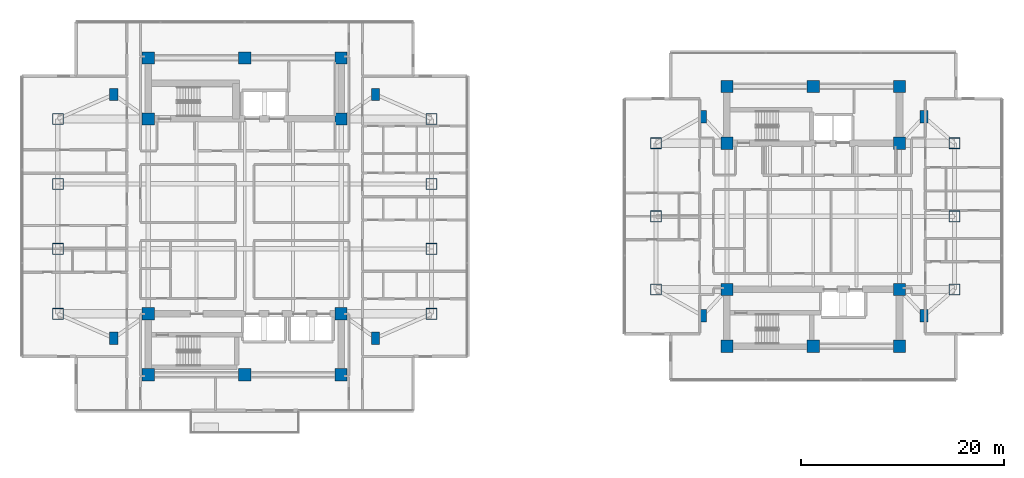
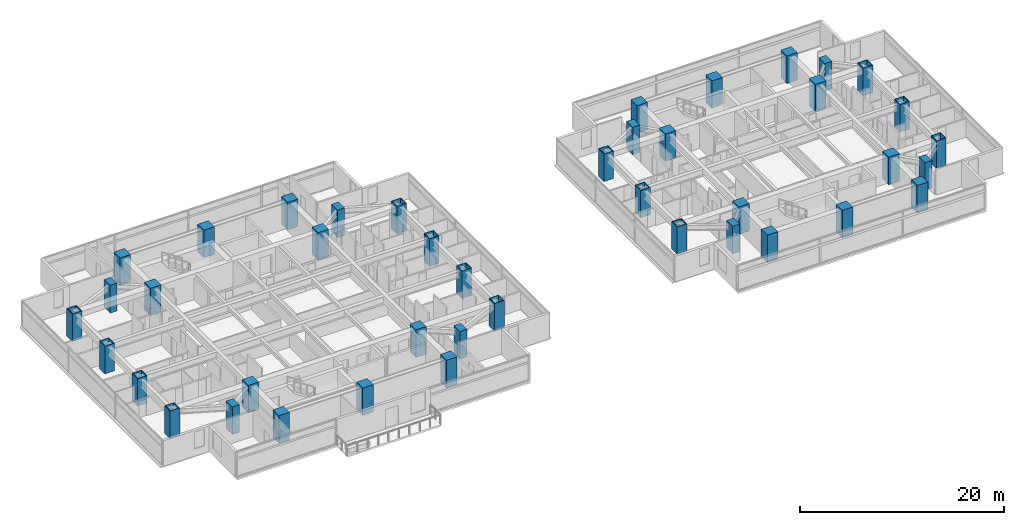
# One storey, part 1 of 26: 42 columns.
"""IFC4 building model written with IfcOpenShell, lengths in metres."""

from ifc_helpers import new_model, si_unit, direction, frame, origin, origin_2d, place, context, subcontext, project, spatial, rectangle, hollow_rectangle, extrude, material, material_profile, profile_set, type_object, element, save


model = new_model("IFC4")

# Units and contexts
model_context = context("Model", 3, precision=1e-05, world=origin(), true_north=direction((0.0, 1.0)))
body_context = subcontext(model_context, "Body", "Model", "MODEL_VIEW")
ifc_project = project(units=[si_unit("LENGTHUNIT", "METRE"), si_unit("AREAUNIT", "SQUARE_METRE"), si_unit("VOLUMEUNIT", "CUBIC_METRE"), si_unit("PLANEANGLEUNIT", "RADIAN"), si_unit("MASSUNIT", "GRAM", prefix="KILO")], contexts=[model_context])

# Site, building, storey
site_placement = place(None, origin())
site = spatial("IfcSite", under=ifc_project, at=site_placement, CompositionType="ELEMENT")
building_placement = place(site_placement, origin())
building = spatial("IfcBuilding", under=site, at=building_placement, Name="Mirazonda Arch Towers", CompositionType="ELEMENT")
storey_placement = place(building_placement, frame((0.0, 0.0, 108.199951171875)))
storey = spatial("IfcBuildingStorey", under=building, at=storey_placement, Name="L30", CompositionType="ELEMENT", Elevation=108.199951171875)

# Columns
ifc_material_1 = material(Name="Concrete C50/60", Category="concrete")
ifc_material_profile_1 = material_profile(ifc_material_1, rectangle(XDim=1.199951171875, YDim=1.199951171875, at=origin_2d()), Name="RC1200x1200")
ifc_profile_set_1 = profile_set([ifc_material_profile_1], Name="Concrete C50/60")
column_type_1 = type_object("IfcColumnType", Name="COL-INT-RC1200x1200", PredefinedType="COLUMN", material=ifc_profile_set_1)
for number, where, z_axis, x_axis, name in (
    (1, (11.0, 12.39990234375, 0.0), (0.0, 0.0, 1.0), (1.0, 0.0, 0.0), "L30 T1 Core Column 01"),
    (2, (20.5, 12.39990234375, 0.0), (0.0, 0.0, 1.0), (1.0, 0.0, 0.0), "L30 T1 Core Column 02"),
    (3, (30.0, 12.39990234375, 0.0), (0.0, 0.0, 1.0), (1.0, 0.0, 0.0), "L30 T1 Core Column 03"),
    (4, (11.0, 18.39990234375, 0.0), (0.0, 0.0, 1.0), (1.0, 0.0, 0.0), "L30 T1 Core Column 04"),
    (5, (30.0, 18.39990234375, 0.0), (0.0, 0.0, 1.0), (1.0, 0.0, 0.0), "L30 T1 Core Column 05"),
    (6, (11.0, 37.60009765625, 0.0), (0.0, 0.0, 1.0), (1.0, 0.0, 0.0), "L30 T1 Core Column 06"),
    (7, (30.0, 37.60009765625, 0.0), (0.0, 0.0, 1.0), (1.0, 0.0, 0.0), "L30 T1 Core Column 07"),
    (8, (11.0, 43.60009765625, 0.0), (0.0, 0.0, 1.0), (1.0, 0.0, 0.0), "L30 T1 Core Column 08"),
    (9, (20.5, 43.60009765625, 0.0), (0.0, 0.0, 1.0), (1.0, 0.0, 0.0), "L30 T1 Core Column 09"),
    (10, (30.0, 43.60009765625, 0.0), (0.0, 0.0, 1.0), (1.0, 0.0, 0.0), "L30 T1 Core Column 10"),
    (11, (68.0, 15.199951171875, 0.0), (0.0, 0.0, 1.0), (1.0, 0.0, 0.0), "L30 T2 Core Column 01"),
    (12, (76.5, 15.199951171875, 0.0), (0.0, 0.0, 1.0), (1.0, 0.0, 0.0), "L30 T2 Core Column 02"),
    (13, (85.0, 15.199951171875, 0.0), (0.0, 0.0, 1.0), (1.0, 0.0, 0.0), "L30 T2 Core Column 03"),
    (14, (68.0, 20.800048828125, 0.0), (0.0, 0.0, 1.0), (1.0, 0.0, 0.0), "L30 T2 Core Column 04"),
    (15, (85.0, 20.800048828125, 0.0), (0.0, 0.0, 1.0), (1.0, 0.0, 0.0), "L30 T2 Core Column 05"),
    (16, (68.0, 35.199951171875, 0.0), (0.0, 0.0, 1.0), (1.0, 0.0, 0.0), "L30 T2 Core Column 06"),
    (17, (85.0, 35.199951171875, 0.0), (0.0, 0.0, 1.0), (1.0, 0.0, 0.0), "L30 T2 Core Column 07"),
    (18, (68.0, 40.800048828125, 0.0), (0.0, 0.0, 1.0), (1.0, 0.0, 0.0), "L30 T2 Core Column 08"),
    (19, (76.5, 40.800048828125, 0.0), (0.0, 0.0, 1.0), (1.0, 0.0, 0.0), "L30 T2 Core Column 09"),
    (20, (85.0, 40.800048828125, 0.0), (0.0, 0.0, 1.0), (1.0, 0.0, 0.0), "L30 T2 Core Column 10"),
):
    element("IfcColumn", number, at=place(storey_placement, frame(where, z_axis=z_axis, x_axis=x_axis)), inside=storey, type_object=column_type_1, Name=name, PredefinedType="COLUMN", context=body_context, shape_type="SweptSolid", body=[
        extrude(rectangle(XDim=1.199951171875, YDim=1.199951171875, at=origin_2d()), origin(), (0.0, 0.0, 1.0), 3.300048828125),
    ])
ifc_material_2 = material(Name="Steel ASTM A572 Grade 50", Category="steel")
ifc_material_profile_2 = material_profile(ifc_material_2, hollow_rectangle(XDim=1.10009765625, YDim=1.10009765625, WallThickness=0.06005859375, at=origin_2d()), Name="BOX1100x1100x60")
ifc_profile_set_2 = profile_set([ifc_material_profile_2], Name="Steel ASTM A572 Grade 50")
column_type_2 = type_object("IfcColumnType", Name="MCOL-EXT-BOX1100x1100x60", PredefinedType="COLUMN", material=ifc_profile_set_2)
for number, where, z_axis, x_axis, name in (
    (21, (2.10009765625, 18.39990234375, 0.0), (0.0, 0.0, 1.0), (1.0, 0.0, 0.0), "L30 T1 Composite Mega-Column 01"),
    (22, (2.10009765625, 24.800048828125, 0.0), (0.0, 0.0, 1.0), (1.0, 0.0, 0.0), "L30 T1 Composite Mega-Column 02"),
    (23, (2.10009765625, 31.199951171875, 0.0), (0.0, 0.0, 1.0), (1.0, 0.0, 0.0), "L30 T1 Composite Mega-Column 03"),
    (24, (2.10009765625, 37.60009765625, 0.0), (0.0, 0.0, 1.0), (1.0, 0.0, 0.0), "L30 T1 Composite Mega-Column 04"),
    (25, (38.89990234375, 18.39990234375, 0.0), (0.0, 0.0, 1.0), (1.0, 0.0, 0.0), "L30 T1 Composite Mega-Column 05"),
    (26, (38.89990234375, 24.800048828125, 0.0), (0.0, 0.0, 1.0), (1.0, 0.0, 0.0), "L30 T1 Composite Mega-Column 06"),
    (27, (38.89990234375, 31.199951171875, 0.0), (0.0, 0.0, 1.0), (1.0, 0.0, 0.0), "L30 T1 Composite Mega-Column 07"),
    (28, (38.89990234375, 37.60009765625, 0.0), (0.0, 0.0, 1.0), (1.0, 0.0, 0.0), "L30 T1 Composite Mega-Column 08"),
    (29, (61.0, 20.800048828125, 0.0), (0.0, 0.0, 1.0), (1.0, 0.0, 0.0), "L30 T2 Composite Mega-Column 01"),
    (30, (61.0, 28.0, 0.0), (0.0, 0.0, 1.0), (1.0, 0.0, 0.0), "L30 T2 Composite Mega-Column 02"),
    (31, (61.0, 35.199951171875, 0.0), (0.0, 0.0, 1.0), (1.0, 0.0, 0.0), "L30 T2 Composite Mega-Column 03"),
    (32, (90.39990234375, 20.800048828125, 0.0), (0.0, 0.0, 1.0), (1.0, 0.0, 0.0), "L30 T2 Composite Mega-Column 04"),
    (33, (90.39990234375, 28.0, 0.0), (0.0, 0.0, 1.0), (1.0, 0.0, 0.0), "L30 T2 Composite Mega-Column 05"),
    (34, (90.39990234375, 35.199951171875, 0.0), (0.0, 0.0, 1.0), (1.0, 0.0, 0.0), "L30 T2 Composite Mega-Column 06"),
):
    element("IfcColumn", number, at=place(storey_placement, frame(where, z_axis=z_axis, x_axis=x_axis)), inside=storey, type_object=column_type_2, Name=name, PredefinedType="COLUMN", context=body_context, shape_type="SweptSolid", body=[
        extrude(hollow_rectangle(XDim=1.10009765625, YDim=1.10009765625, WallThickness=0.06005859375, at=origin_2d()), origin(), (0.0, 0.0, 1.0), 3.300048828125),
    ])
ifc_material_3 = material(Name="Concrete C60/75", Category="concrete")
ifc_material_profile_3 = material_profile(ifc_material_3, rectangle(XDim=0.800048828125, YDim=1.199951171875, at=origin_2d()), Name="RC1200x800")
ifc_profile_set_3 = profile_set([ifc_material_profile_3], Name="Concrete C60/75")
column_type_3 = type_object("IfcColumnType", Name="PIL-EXT-RC1200x800", PredefinedType="PILASTER", material=ifc_profile_set_3)
for number, where, z_axis, x_axis, name in (
    (35, (7.60009765625, 16.0, 0.0), (0.0, 0.0, 1.0), (1.0, 0.0, 0.0), "L30 T1 Corner Pilaster 01"),
    (36, (33.39990234375, 16.0, 0.0), (0.0, 0.0, 1.0), (1.0, 0.0, 0.0), "L30 T1 Corner Pilaster 02"),
    (37, (7.60009765625, 40.0, 0.0), (0.0, 0.0, 1.0), (1.0, 0.0, 0.0), "L30 T1 Corner Pilaster 03"),
    (38, (33.39990234375, 40.0, 0.0), (0.0, 0.0, 1.0), (1.0, 0.0, 0.0), "L30 T1 Corner Pilaster 04"),
    (39, (65.60009765625, 18.199951171875, 0.0), (0.0, 0.0, 1.0), (1.0, 0.0, 0.0), "L30 T2 Corner Pilaster 01"),
    (40, (87.39990234375, 18.199951171875, 0.0), (0.0, 0.0, 1.0), (1.0, 0.0, 0.0), "L30 T2 Corner Pilaster 02"),
    (41, (65.60009765625, 37.800048828125, 0.0), (0.0, 0.0, 1.0), (1.0, 0.0, 0.0), "L30 T2 Corner Pilaster 03"),
    (42, (87.39990234375, 37.800048828125, 0.0), (0.0, 0.0, 1.0), (1.0, 0.0, 0.0), "L30 T2 Corner Pilaster 04"),
):
    element("IfcColumn", number, at=place(storey_placement, frame(where, z_axis=z_axis, x_axis=x_axis)), inside=storey, type_object=column_type_3, Name=name, PredefinedType="PILASTER", context=body_context, shape_type="SweptSolid", body=[
        extrude(rectangle(XDim=0.800048828125, YDim=1.199951171875, at=origin_2d()), origin(), (0.0, 0.0, 1.0), 3.300048828125),
    ])

save(model, "model.ifc")
